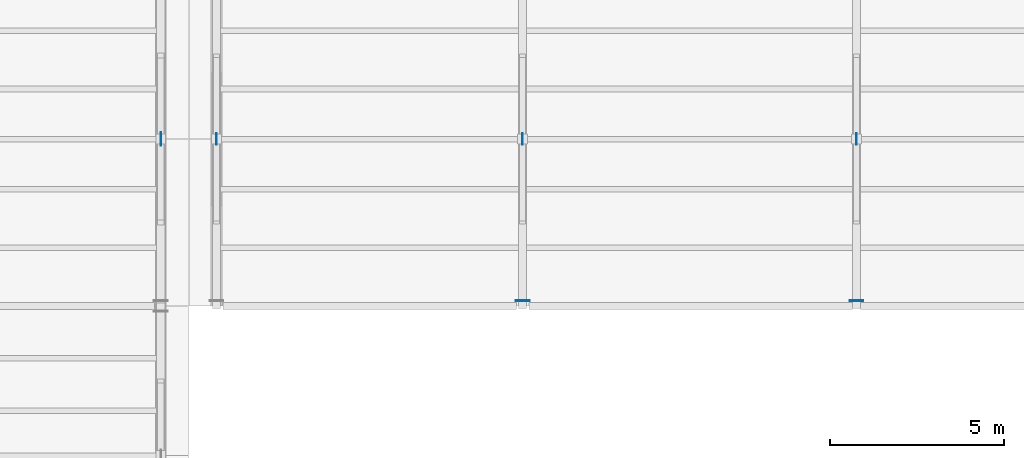
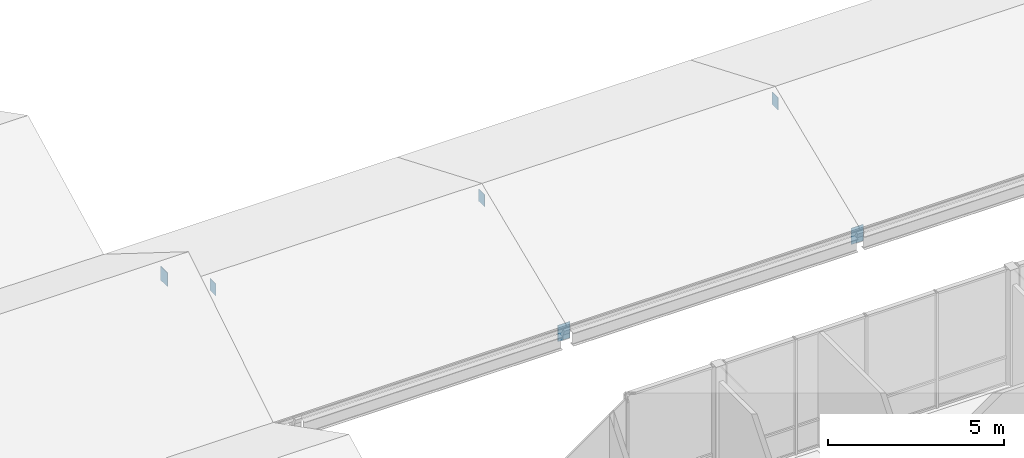
# One storey, part 77 of 115: 6 plates.
"""IFC4 building model written with IfcOpenShell, lengths in metres."""

from ifc_helpers import new_model, si_unit, direction, frame, origin, origin_2d, place, context, subcontext, project, spatial, rectangle, extrude, material, layer, layer_set, type_object, element, save


model = new_model("IFC4")

# Units and contexts
model_context = context("Model", 3, precision=1e-05, world=origin(), true_north=direction((0.0, 1.0)))
body_context = subcontext(model_context, "Body", "Model", "MODEL_VIEW")
ifc_project = project(units=[si_unit("LENGTHUNIT", "METRE"), si_unit("AREAUNIT", "SQUARE_METRE"), si_unit("VOLUMEUNIT", "CUBIC_METRE"), si_unit("PLANEANGLEUNIT", "RADIAN"), si_unit("MASSUNIT", "GRAM", prefix="KILO")], contexts=[model_context])

# Site, building, storey
site_placement = place(None, origin())
site = spatial("IfcSite", under=ifc_project, at=site_placement, CompositionType="ELEMENT")
building_placement = place(site_placement, origin())
building = spatial("IfcBuilding", under=site, at=building_placement, Name="Hawrajan Terrace Health Centre", CompositionType="ELEMENT")
storey_placement = place(building_placement, frame((0.0, 0.0, 9.0)))
storey = spatial("IfcBuildingStorey", under=building, at=storey_placement, Name="L02", CompositionType="ELEMENT", Elevation=9.0)

# Plates
ifc_material = material(Name="Steel S355", Category="steel")
ifc_layer_1 = layer(ifc_material, 0.02001953125)
ifc_layer_set_1 = layer_set([ifc_layer_1], Name="Steel S355")
plate_type_1 = type_object("IfcPlateType", Name="HoldDownShoe_S355_20", PredefinedType="SHEET", material=ifc_layer_set_1)
for number, where, z_axis, x_axis, name in (
    (1, (81.39990234375, 27.35009765625, -0.5), (0.0, 0.0, 1.0), (1.0, 0.0, 0.0), "Pinned uplift hold-down shoe C-G11-TRM-SHOE-S"),
    (2, (91.0, 27.35009765625, -0.5), (0.0, 0.0, 1.0), (1.0, 0.0, 0.0), "Pinned uplift hold-down shoe C-G12-TRM-SHOE-S"),
):
    element("IfcPlate", number, at=place(storey_placement, frame(where, z_axis=z_axis, x_axis=x_axis)), inside=storey, type_object=plate_type_1, Name=name, PredefinedType="SHEET", context=body_context, shape_type="SweptSolid", body=[
        extrude(rectangle(XDim=0.39990234375, YDim=0.02001953125, at=origin_2d()), origin(), (0.0, 0.0, 1.0), 0.56005859375),
    ])
ifc_layer_2 = layer(ifc_material, 0.011962890625)
ifc_layer_set_2 = layer_set([ifc_layer_2], Name="Steel S355")
plate_type_2 = type_object("IfcPlateType", Name="KnifePlate_S355_12", PredefinedType="SHEET", material=ifc_layer_set_2)
for number, where, z_axis, x_axis, name in (
    (3, (72.60009765625, 32.0, 1.369140625), (0.0, 0.0, 1.0), (1.0, 0.0, 0.0), "Slotted steel apex knife plate C-G10-TRM"),
    (4, (81.39990234375, 32.0, 1.369140625), (0.0, 0.0, 1.0), (1.0, 0.0, 0.0), "Slotted steel apex knife plate C-G11-TRM"),
    (5, (91.0, 32.0, 1.369140625), (0.0, 0.0, 1.0), (1.0, 0.0, 0.0), "Slotted steel apex knife plate C-G12-TRM"),
):
    element("IfcPlate", number, at=place(storey_placement, frame(where, z_axis=z_axis, x_axis=x_axis)), inside=storey, type_object=plate_type_2, Name=name, PredefinedType="SHEET", context=body_context, shape_type="SweptSolid", body=[
        extrude(rectangle(XDim=0.011962890625, YDim=0.340087890625, at=origin_2d()), origin(), (0.0, 0.0, 1.0), 0.419921875),
    ])
ifc_layer_3 = layer(ifc_material, 0.01611328125)
ifc_layer_set_3 = layer_set([ifc_layer_3], Name="Steel S355")
plate_type_3 = type_object("IfcPlateType", Name="KnifePlate_S355_16", PredefinedType="SHEET", material=ifc_layer_set_3)
plate_placement = place(storey_placement, frame((71.0, 32.0, 2.268310546875), z_axis=(0.0, 0.0, 1.0), x_axis=(1.0, 0.0, 0.0)))
element("IfcPlate", 6, at=plate_placement, inside=storey, type_object=plate_type_3, Name="Slotted steel apex knife plate W-G10-TRL-M", PredefinedType="SHEET", context=body_context, shape_type="SweptSolid", body=[
    extrude(rectangle(XDim=0.01611328125, YDim=0.3798828125, at=origin_2d()), origin(), (0.0, 0.0, 1.0), 0.47998046875),
])

save(model, "model.ifc")
